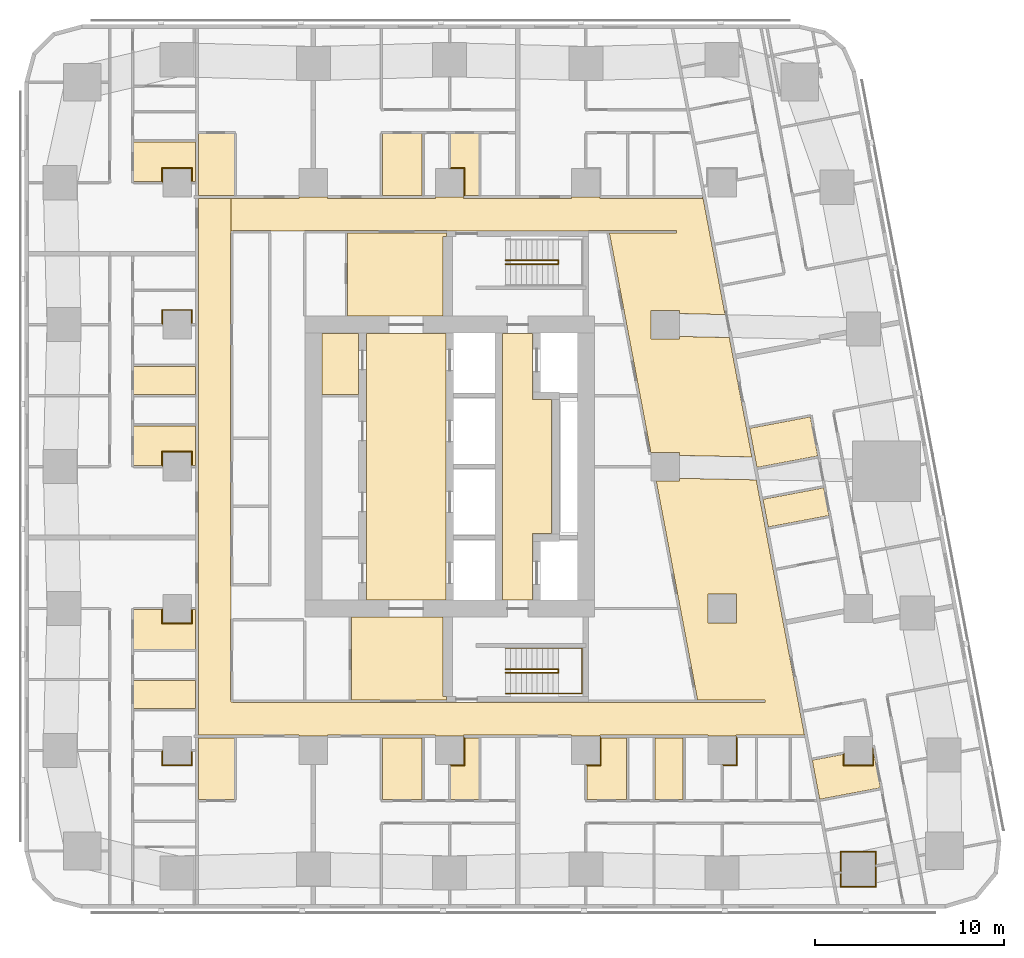
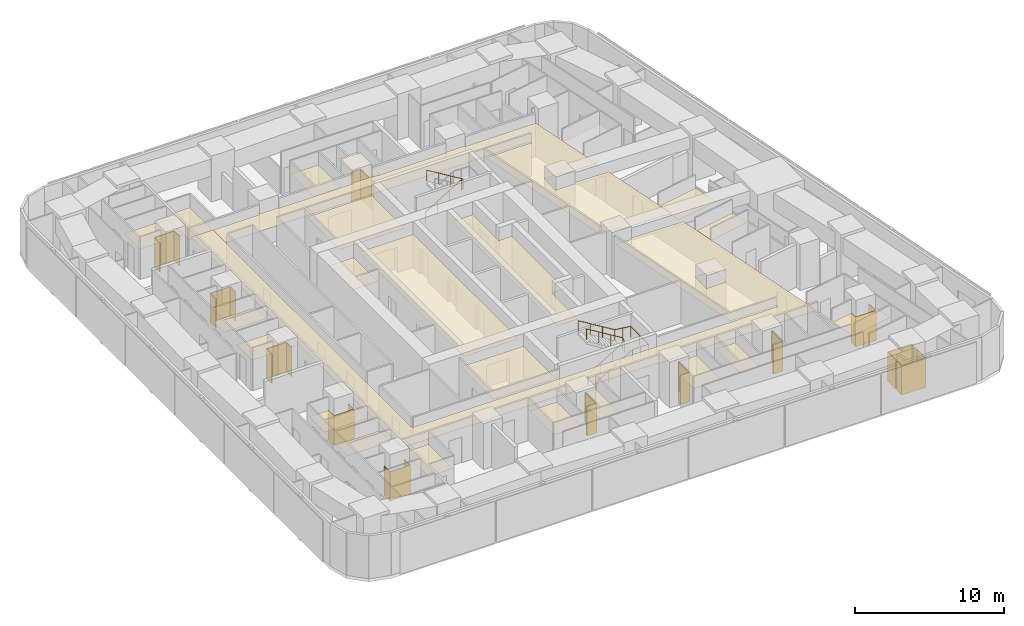
# One storey, part 14 of 15: 35 coverings, 3 railings.
"""IFC4 building model written with IfcOpenShell, lengths in metres."""

from ifc_helpers import new_model, si_unit, direction, frame, origin, origin_2d, place, context, subcontext, project, spatial, polyline, circle, outline, extrude, material, layer, layer_set, type_object, element, save


model = new_model("IFC4")

# Units and contexts
model_context = context("Model", 3, precision=1e-05, world=origin(), true_north=direction((0.0, 1.0)))
body_context = subcontext(model_context, "Body", "Model", "MODEL_VIEW")
ifc_project = project(units=[si_unit("LENGTHUNIT", "METRE"), si_unit("AREAUNIT", "SQUARE_METRE"), si_unit("VOLUMEUNIT", "CUBIC_METRE"), si_unit("PLANEANGLEUNIT", "RADIAN"), si_unit("MASSUNIT", "GRAM", prefix="KILO")], contexts=[model_context])

# Site, building, storey
site_placement = place(None, origin())
site = spatial("IfcSite", under=ifc_project, at=site_placement, CompositionType="ELEMENT")
building_placement = place(site_placement, origin())
building = spatial("IfcBuilding", under=site, at=building_placement, Name="Sheger Commons Tower", CompositionType="ELEMENT")
storey_placement = place(building_placement, frame((0.0, 0.0, 150.800048828125)))
storey = spatial("IfcBuildingStorey", under=building, at=storey_placement, Name="L38", CompositionType="ELEMENT", Elevation=150.800048828125)

# Railings
ifc_material_1 = material(Name="Steel handrail, black powder-coated", Category="steel")
railing_type = type_object("IfcRailingType", Name="HANDRAIL 900", PredefinedType="HANDRAIL", material=ifc_material_1)
railing_1_placement = place(storey_placement, frame((24.550048828125, 11.60009765625, 0.17041015625)))
element("IfcRailing", 1, at=railing_1_placement, inside=storey, type_object=railing_type, Name="Stair S1 handrail L38", PredefinedType="HANDRAIL", context=body_context, shape_type="SweptSolid", body=[
    extrude(circle(Radius=0.02392578125, at=origin_2d()), frame((0.0, 0.0, 0.8759765625), z_axis=(0.854169791009, 0.0, 0.51999420009), x_axis=(0.0, 1.0, 0.0)), (0.0, 0.0, 1.0), 3.278076171875),
    extrude(circle(Radius=0.02392578125, at=origin_2d()), frame((2.800048828125, 0.0, 2.58056640625), z_axis=(0.0, 0.761090297175, 0.648645943136), x_axis=(-1.0, 0.0, 0.0)), (0.0, 0.0, 1.0), 0.2626953125),
    extrude(circle(Radius=0.02392578125, at=origin_2d()), frame((2.800048828125, 0.199951171875, 2.7509765625), z_axis=(-0.854169791009, 0.0, 0.51999420009), x_axis=(0.0, -1.0, 0.0)), (0.0, 0.0, 1.0), 3.278076171875),
    extrude(circle(Radius=0.02099609375, at=origin_2d()), origin(), (0.0, 0.0, 1.0), 0.851806640625),
    extrude(circle(Radius=0.02099609375, at=origin_2d()), frame((0.933349609375, 0.0, 0.568115234375)), (0.0, 0.0, 1.0), 0.851806640625),
    extrude(circle(Radius=0.02099609375, at=origin_2d()), frame((1.86669921875, 0.0, 1.136474609375)), (0.0, 0.0, 1.0), 0.851806640625),
    extrude(circle(Radius=0.02099609375, at=origin_2d()), frame((2.800048828125, 0.0, 1.70458984375)), (0.0, 0.0, 1.0), 0.851806640625),
    extrude(circle(Radius=0.02099609375, at=origin_2d()), frame((2.800048828125, 0.199951171875, 1.875)), (0.0, 0.0, 1.0), 0.851806640625),
    extrude(circle(Radius=0.02099609375, at=origin_2d()), frame((1.86669921875, 0.199951171875, 2.443115234375)), (0.0, 0.0, 1.0), 0.851806640625),
    extrude(circle(Radius=0.02099609375, at=origin_2d()), frame((0.933349609375, 0.199951171875, 3.011474609375)), (0.0, 0.0, 1.0), 0.851806640625),
    extrude(circle(Radius=0.02099609375, at=origin_2d()), frame((0.0, 0.199951171875, 3.57958984375)), (0.0, 0.0, 1.0), 0.851806640625),
])
railing_2_placement = place(storey_placement, frame((24.550048828125, 10.5, 0.17041015625)))
element("IfcRailing", 2, at=railing_2_placement, inside=storey, type_object=railing_type, Name="Stair S1 handrail L38", PredefinedType="HANDRAIL", context=body_context, shape_type="SweptSolid", body=[
    extrude(circle(Radius=0.02392578125, at=origin_2d()), frame((0.0, 0.0, 0.8759765625), z_axis=(0.854169791009, 0.0, 0.51999420009), x_axis=(0.0, 1.0, 0.0)), (0.0, 0.0, 1.0), 3.278076171875),
    extrude(circle(Radius=0.02392578125, at=origin_2d()), frame((2.800048828125, 0.0, 2.58056640625), z_axis=(1.0, 0.0, 0.0), x_axis=(0.0, 1.0, 0.0)), (0.0, 0.0, 1.0), 1.25),
    extrude(circle(Radius=0.02392578125, at=origin_2d()), frame((4.050048828125, 0.0, 2.58056640625), z_axis=(0.0, 1.0, 0.0), x_axis=(-1.0, 0.0, 0.0)), (0.0, 0.0, 1.0), 2.39990234375),
    extrude(circle(Radius=0.02392578125, at=origin_2d()), frame((4.050048828125, 2.39990234375, 2.58056640625), z_axis=(-0.990834877927, 0.0, 0.135078661092), x_axis=(0.0, -1.0, 0.0)), (0.0, 0.0, 1.0), 1.261474609375),
    extrude(circle(Radius=0.02392578125, at=origin_2d()), frame((2.800048828125, 2.39990234375, 2.7509765625), z_axis=(-0.854169791009, 0.0, 0.51999420009), x_axis=(0.0, -1.0, 0.0)), (0.0, 0.0, 1.0), 3.278076171875),
    extrude(circle(Radius=0.02099609375, at=origin_2d()), origin(), (0.0, 0.0, 1.0), 0.851806640625),
    extrude(circle(Radius=0.02099609375, at=origin_2d()), frame((0.933349609375, 0.0, 0.568115234375)), (0.0, 0.0, 1.0), 0.851806640625),
    extrude(circle(Radius=0.02099609375, at=origin_2d()), frame((1.86669921875, 0.0, 1.136474609375)), (0.0, 0.0, 1.0), 0.851806640625),
    extrude(circle(Radius=0.02099609375, at=origin_2d()), frame((2.800048828125, 0.0, 1.70458984375)), (0.0, 0.0, 1.0), 0.851806640625),
    extrude(circle(Radius=0.02099609375, at=origin_2d()), frame((3.425048828125, 0.0, 1.70458984375)), (0.0, 0.0, 1.0), 0.851806640625),
    extrude(circle(Radius=0.02099609375, at=origin_2d()), frame((4.050048828125, 0.0, 1.70458984375)), (0.0, 0.0, 1.0), 0.851806640625),
    extrude(circle(Radius=0.02099609375, at=origin_2d()), frame((4.050048828125, 1.199951171875, 1.70458984375)), (0.0, 0.0, 1.0), 0.851806640625),
    extrude(circle(Radius=0.02099609375, at=origin_2d()), frame((4.050048828125, 2.39990234375, 1.70458984375)), (0.0, 0.0, 1.0), 0.851806640625),
    extrude(circle(Radius=0.02099609375, at=origin_2d()), frame((3.425048828125, 2.39990234375, 1.789794921875)), (0.0, 0.0, 1.0), 0.851806640625),
    extrude(circle(Radius=0.02099609375, at=origin_2d()), frame((2.800048828125, 2.39990234375, 1.875)), (0.0, 0.0, 1.0), 0.851806640625),
    extrude(circle(Radius=0.02099609375, at=origin_2d()), frame((1.86669921875, 2.39990234375, 2.443115234375)), (0.0, 0.0, 1.0), 0.851806640625),
    extrude(circle(Radius=0.02099609375, at=origin_2d()), frame((0.933349609375, 2.39990234375, 3.011474609375)), (0.0, 0.0, 1.0), 0.851806640625),
    extrude(circle(Radius=0.02099609375, at=origin_2d()), frame((0.0, 2.39990234375, 3.57958984375)), (0.0, 0.0, 1.0), 0.851806640625),
])
railing_3_placement = place(storey_placement, frame((24.550048828125, 33.39990234375, 0.17041015625)))
element("IfcRailing", 3, at=railing_3_placement, inside=storey, type_object=railing_type, Name="Stair S2 handrail L38", PredefinedType="HANDRAIL", context=body_context, shape_type="SweptSolid", body=[
    extrude(circle(Radius=0.02392578125, at=origin_2d()), frame((0.0, 0.0, 0.8759765625), z_axis=(0.854169791009, 0.0, 0.51999420009), x_axis=(0.0, 1.0, 0.0)), (0.0, 0.0, 1.0), 3.278076171875),
    extrude(circle(Radius=0.02392578125, at=origin_2d()), frame((2.800048828125, 0.0, 2.58056640625), z_axis=(0.0, -0.761090297175, 0.648645943136), x_axis=(1.0, 0.0, 0.0)), (0.0, 0.0, 1.0), 0.2626953125),
    extrude(circle(Radius=0.02392578125, at=origin_2d()), frame((2.800048828125, -0.199951171875, 2.7509765625), z_axis=(-0.854169791009, 0.0, 0.51999420009), x_axis=(0.0, -1.0, 0.0)), (0.0, 0.0, 1.0), 3.278076171875),
    extrude(circle(Radius=0.02099609375, at=origin_2d()), origin(), (0.0, 0.0, 1.0), 0.851806640625),
    extrude(circle(Radius=0.02099609375, at=origin_2d()), frame((0.933349609375, 0.0, 0.568115234375)), (0.0, 0.0, 1.0), 0.851806640625),
    extrude(circle(Radius=0.02099609375, at=origin_2d()), frame((1.86669921875, 0.0, 1.136474609375)), (0.0, 0.0, 1.0), 0.851806640625),
    extrude(circle(Radius=0.02099609375, at=origin_2d()), frame((2.800048828125, 0.0, 1.70458984375)), (0.0, 0.0, 1.0), 0.851806640625),
    extrude(circle(Radius=0.02099609375, at=origin_2d()), frame((2.800048828125, -0.199951171875, 1.875)), (0.0, 0.0, 1.0), 0.851806640625),
    extrude(circle(Radius=0.02099609375, at=origin_2d()), frame((1.86669921875, -0.199951171875, 2.443115234375)), (0.0, 0.0, 1.0), 0.851806640625),
    extrude(circle(Radius=0.02099609375, at=origin_2d()), frame((0.933349609375, -0.199951171875, 3.011474609375)), (0.0, 0.0, 1.0), 0.851806640625),
    extrude(circle(Radius=0.02099609375, at=origin_2d()), frame((0.0, -0.199951171875, 3.57958984375)), (0.0, 0.0, 1.0), 0.851806640625),
])

# Coverings
ifc_material_2 = material(Name="Moisture-resistant gypsum plasterboard 15 mm on a suspended galvanised steel grid", Category="steel")
ifc_layer_1 = layer(ifc_material_2, 0.014892578125)
ifc_layer_set_1 = layer_set([ifc_layer_1], Name="MOISTURE-RESISTANT CEILING 15")
covering_type_1 = type_object("IfcCoveringType", Name="MOISTURE-RESISTANT CEILING 15", PredefinedType="CEILING", material=ifc_layer_set_1)
covering_1_placement = place(storey_placement, frame((0.0, 0.0, 2.39990234375)))
element("IfcCovering", 4, at=covering_1_placement, inside=storey, type_object=covering_type_1, Name="L38-01.B1 ceiling", PredefinedType="CEILING", context=body_context, shape_type="SweptSolid", body=[
    extrude(outline(polyline([(4.905029296875, 12.844970703125), (8.169921875, 12.844970703125), (8.169921875, 14.945068359375), (7.955078125, 14.945068359375), (7.955078125, 14.2451171875), (6.445068359375, 14.2451171875), (6.445068359375, 14.945068359375), (4.905029296875, 14.945068359375), (4.905029296875, 12.844970703125)])), origin(), (0.0, 0.0, 1.0), 0.01513671875),
])
covering_2_placement = place(storey_placement, frame((0.0, 0.0, 2.39990234375)))
element("IfcCovering", 5, at=covering_2_placement, inside=storey, type_object=covering_type_1, Name="L38-01.B2 ceiling", PredefinedType="CEILING", context=body_context, shape_type="SweptSolid", body=[
    extrude(outline(polyline([(4.905029296875, 9.705078125), (8.169921875, 9.705078125), (8.169921875, 11.195068359375), (4.905029296875, 11.195068359375), (4.905029296875, 9.705078125)])), origin(), (0.0, 0.0, 1.0), 0.01513671875),
])
covering_3_placement = place(storey_placement, frame((0.0, 0.0, 2.39990234375)))
element("IfcCovering", 6, at=covering_3_placement, inside=storey, type_object=covering_type_1, Name="L38-02.B1 ceiling", PredefinedType="CEILING", context=body_context, shape_type="SweptSolid", body=[
    extrude(outline(polyline([(4.905029296875, 22.554931640625), (6.445068359375, 22.554931640625), (6.445068359375, 23.2548828125), (7.955078125, 23.2548828125), (7.955078125, 22.554931640625), (8.169921875, 22.554931640625), (8.169921875, 24.655029296875), (4.905029296875, 24.655029296875), (4.905029296875, 22.554931640625)])), origin(), (0.0, 0.0, 1.0), 0.01513671875),
])
covering_4_placement = place(storey_placement, frame((0.0, 0.0, 2.39990234375)))
element("IfcCovering", 7, at=covering_4_placement, inside=storey, type_object=covering_type_1, Name="L38-02.B2 ceiling", PredefinedType="CEILING", context=body_context, shape_type="SweptSolid", body=[
    extrude(outline(polyline([(4.905029296875, 26.304931640625), (8.169921875, 26.304931640625), (8.169921875, 27.794921875), (4.905029296875, 27.794921875), (4.905029296875, 26.304931640625)])), origin(), (0.0, 0.0, 1.0), 0.01513671875),
])
covering_5_placement = place(storey_placement, frame((0.0, 0.0, 2.39990234375)))
element("IfcCovering", 8, at=covering_5_placement, inside=storey, type_object=covering_type_1, Name="L38-03.B1 ceiling", PredefinedType="CEILING", context=body_context, shape_type="SweptSolid", body=[
    extrude(outline(polyline([(4.905029296875, 37.554931640625), (6.445068359375, 37.554931640625), (6.445068359375, 38.2548828125), (7.955078125, 38.2548828125), (7.955078125, 37.554931640625), (8.169921875, 37.554931640625), (8.169921875, 39.655029296875), (4.905029296875, 39.655029296875), (4.905029296875, 37.554931640625)])), origin(), (0.0, 0.0, 1.0), 0.01513671875),
])
covering_6_placement = place(storey_placement, frame((0.0, 0.0, 2.39990234375)))
element("IfcCovering", 9, at=covering_6_placement, inside=storey, type_object=covering_type_1, Name="L38-04.B1 ceiling", PredefinedType="CEILING", context=body_context, shape_type="SweptSolid", body=[
    extrude(outline(polyline([(8.330078125, 4.905029296875), (10.22412109375, 4.905029296875), (10.22412109375, 8.169921875), (8.330078125, 8.169921875), (8.330078125, 4.905029296875)])), origin(), (0.0, 0.0, 1.0), 0.01513671875),
])
covering_7_placement = place(storey_placement, frame((0.0, 0.0, 2.39990234375)))
element("IfcCovering", 10, at=covering_7_placement, inside=storey, type_object=covering_type_1, Name="L38-05.B1 ceiling", PredefinedType="CEILING", context=body_context, shape_type="SweptSolid", body=[
    extrude(outline(polyline([(18.054931640625, 4.905029296875), (20.155029296875, 4.905029296875), (20.155029296875, 8.169921875), (18.054931640625, 8.169921875), (18.054931640625, 4.905029296875)])), origin(), (0.0, 0.0, 1.0), 0.01513671875),
])
covering_8_placement = place(storey_placement, frame((0.0, 0.0, 2.39990234375)))
element("IfcCovering", 11, at=covering_8_placement, inside=storey, type_object=covering_type_1, Name="L38-05.B2 ceiling", PredefinedType="CEILING", context=body_context, shape_type="SweptSolid", body=[
    extrude(outline(polyline([(21.655029296875, 4.905029296875), (23.14501953125, 4.905029296875), (23.14501953125, 8.169921875), (22.35498046875, 8.169921875), (22.35498046875, 6.7451171875), (21.655029296875, 6.7451171875), (21.655029296875, 4.905029296875)])), origin(), (0.0, 0.0, 1.0), 0.01513671875),
])
covering_9_placement = place(storey_placement, frame((0.0, 0.0, 2.39990234375)))
element("IfcCovering", 12, at=covering_9_placement, inside=storey, type_object=covering_type_1, Name="L38-06.B1 ceiling", PredefinedType="CEILING", context=body_context, shape_type="SweptSolid", body=[
    extrude(outline(polyline([(28.85498046875, 4.905029296875), (30.955078125, 4.905029296875), (30.955078125, 8.169921875), (29.554931640625, 8.169921875), (29.554931640625, 6.7451171875), (28.85498046875, 6.7451171875), (28.85498046875, 4.905029296875)])), origin(), (0.0, 0.0, 1.0), 0.01513671875),
])
covering_10_placement = place(storey_placement, frame((0.0, 0.0, 2.39990234375)))
element("IfcCovering", 13, at=covering_10_placement, inside=storey, type_object=covering_type_1, Name="L38-06.B2 ceiling", PredefinedType="CEILING", context=body_context, shape_type="SweptSolid", body=[
    extrude(outline(polyline([(32.455078125, 4.905029296875), (33.945068359375, 4.905029296875), (33.945068359375, 8.169921875), (32.455078125, 8.169921875), (32.455078125, 4.905029296875)])), origin(), (0.0, 0.0, 1.0), 0.01513671875),
])
covering_11_placement = place(storey_placement, frame((0.0, 0.0, 2.39990234375)))
element("IfcCovering", 14, at=covering_11_placement, inside=storey, type_object=covering_type_1, Name="L38-08.B1 ceiling", PredefinedType="CEILING", context=body_context, shape_type="SweptSolid", body=[
    extrude(outline(polyline([(37.843994140625, 22.4580078125), (41.052001953125, 23.06396484375), (40.662109375, 25.1279296875), (37.4541015625, 24.52197265625), (37.843994140625, 22.4580078125)])), origin(), (0.0, 0.0, 1.0), 0.01513671875),
])
covering_12_placement = place(storey_placement, frame((0.0, 0.0, 2.39990234375)))
element("IfcCovering", 15, at=covering_12_placement, inside=storey, type_object=covering_type_1, Name="L38-08.B2 ceiling", PredefinedType="CEILING", context=body_context, shape_type="SweptSolid", body=[
    extrude(outline(polyline([(38.43896484375, 19.30810546875), (41.64697265625, 19.9140625), (41.3701171875, 21.3779296875), (38.162109375, 20.77197265625), (38.43896484375, 19.30810546875)])), origin(), (0.0, 0.0, 1.0), 0.01513671875),
])
covering_13_placement = place(storey_placement, frame((0.0, 0.0, 2.39990234375)))
element("IfcCovering", 16, at=covering_13_placement, inside=storey, type_object=covering_type_1, Name="L38-09.B1 ceiling", PredefinedType="CEILING", context=body_context, shape_type="SweptSolid", body=[
    extrude(outline(polyline([(41.156005859375, 4.9208984375), (44.364013671875, 5.527099609375), (43.964111328125, 7.64501953125), (43.955078125, 7.64306640625), (43.955078125, 6.7451171875), (42.445068359375, 6.7451171875), (42.445068359375, 7.302001953125), (40.76611328125, 6.985107421875), (41.156005859375, 4.9208984375)])), origin(), (0.0, 0.0, 1.0), 0.01513671875),
])
covering_14_placement = place(storey_placement, frame((0.0, 0.0, 2.39990234375)))
element("IfcCovering", 17, at=covering_14_placement, inside=storey, type_object=covering_type_1, Name="L38-10.B1 ceiling", PredefinedType="CEILING", context=body_context, shape_type="SweptSolid", body=[
    extrude(outline(polyline([(8.330078125, 36.830078125), (10.22412109375, 36.830078125), (10.22412109375, 40.094970703125), (8.330078125, 40.094970703125), (8.330078125, 36.830078125)])), origin(), (0.0, 0.0, 1.0), 0.01513671875),
])
covering_15_placement = place(storey_placement, frame((0.0, 0.0, 2.39990234375)))
element("IfcCovering", 18, at=covering_15_placement, inside=storey, type_object=covering_type_1, Name="L38-11.B1 ceiling", PredefinedType="CEILING", context=body_context, shape_type="SweptSolid", body=[
    extrude(outline(polyline([(18.054931640625, 36.830078125), (20.155029296875, 36.830078125), (20.155029296875, 40.094970703125), (18.054931640625, 40.094970703125), (18.054931640625, 36.830078125)])), origin(), (0.0, 0.0, 1.0), 0.01513671875),
])
covering_16_placement = place(storey_placement, frame((0.0, 0.0, 2.39990234375)))
element("IfcCovering", 19, at=covering_16_placement, inside=storey, type_object=covering_type_1, Name="L38-11.B2 ceiling", PredefinedType="CEILING", context=body_context, shape_type="SweptSolid", body=[
    extrude(outline(polyline([(22.35498046875, 36.830078125), (23.14501953125, 36.830078125), (23.14501953125, 40.094970703125), (21.655029296875, 40.094970703125), (21.655029296875, 38.2548828125), (22.35498046875, 38.2548828125), (22.35498046875, 36.830078125)])), origin(), (0.0, 0.0, 1.0), 0.01513671875),
])
covering_17_placement = place(storey_placement, frame((0.0, 0.0, 2.39990234375)))
element("IfcCovering", 20, at=covering_17_placement, inside=storey, type_object=covering_type_1, Name="L38-CRB3 ceiling", PredefinedType="CEILING", context=body_context, shape_type="SweptSolid", body=[
    extrude(outline(polyline([(14.85498046875, 26.31689453125), (16.794921875, 26.31689453125), (16.794921875, 29.544921875), (14.85498046875, 29.544921875), (14.85498046875, 26.31689453125)])), origin(), (0.0, 0.0, 1.0), 0.01513671875),
])
ifc_material_3 = material(Name="Gypsum plasterboard 15 mm on a suspended steel grid", Category="steel")
ifc_layer_2 = layer(ifc_material_3, 0.014892578125)
ifc_layer_set_2 = layer_set([ifc_layer_2], Name="SUSPENDED CEILING 15")
covering_type_2 = type_object("IfcCoveringType", Name="SUSPENDED CEILING 15", PredefinedType="CEILING", material=ifc_layer_set_2)
covering_18_placement = place(storey_placement, frame((0.0, 0.0, 2.699951171875)))
element("IfcCovering", 21, at=covering_18_placement, inside=storey, type_object=covering_type_2, Name="L38-CO ceiling", PredefinedType="CEILING", context=body_context, shape_type="SweptSolid", body=[
    extrude(outline(polyline([(13.654052734375, 8.2548828125), (15.14599609375, 8.2548828125), (15.14599609375, 8.330078125), (20.85400390625, 8.330078125), (20.85400390625, 8.2548828125), (22.345947265625, 8.2548828125), (22.345947265625, 8.330078125), (28.053955078125, 8.330078125), (28.053955078125, 8.2548828125), (29.5458984375, 8.2548828125), (29.5458984375, 8.330078125), (35.25390625, 8.330078125), (35.25390625, 8.2548828125), (36.74609375, 8.2548828125), (36.74609375, 8.330078125), (40.35009765625, 8.330078125), (37.805908203125, 21.798095703125), (33.7548828125, 21.8798828125), (33.7548828125, 21.7451171875), (32.52099609375, 21.7451171875), (34.705078125, 10.181884765625), (34.66796875, 10.175048828125), (34.669921875, 10.16796875), (38.27001953125, 10.16796875), (38.27001953125, 10.031982421875), (28.945068359375, 10.031982421875), (28.945068359375, 10.044921875), (21.455078125, 10.044921875), (21.455078125, 10.031982421875), (10.156982421875, 10.031982421875), (10.156982421875, 10.050048828125), (10.050048828125, 10.050048828125), (10.050048828125, 10.156982421875), (10.031982421875, 10.156982421875), (10.031982421875, 14.455078125), (10.050048828125, 14.455078125), (10.050048828125, 16.195068359375), (10.031982421875, 16.195068359375), (10.031982421875, 34.843017578125), (10.050048828125, 34.843017578125), (10.050048828125, 34.947998046875), (10.048095703125, 34.947998046875), (10.048095703125, 36.669921875), (8.330078125, 36.669921875), (8.330078125, 8.330078125), (13.654052734375, 8.330078125), (13.654052734375, 8.2548828125)]), holes=[polyline([(36.7548828125, 15.7548828125), (36.7548828125, 14.2451171875), (35.2451171875, 14.2451171875), (35.2451171875, 15.7548828125), (36.7548828125, 15.7548828125)])]), origin(), (0.0, 0.0, 1.0), 0.014892578125),
])
covering_19_placement = place(storey_placement, frame((0.0, 0.0, 2.699951171875)))
element("IfcCovering", 22, at=covering_19_placement, inside=storey, type_object=covering_type_2, Name="L38-CO ceiling", PredefinedType="CEILING", context=body_context, shape_type="SweptSolid", body=[
    extrude(outline(polyline([(37.575927734375, 23.011962890625), (36.385009765625, 29.318115234375), (33.7548828125, 29.3779296875), (33.7548828125, 29.2451171875), (32.2451171875, 29.2451171875), (32.2451171875, 30.7548828125), (33.7548828125, 30.7548828125), (33.7548828125, 30.587890625), (36.156005859375, 30.533935546875), (34.98193359375, 36.75), (34.97802734375, 36.75), (34.97802734375, 36.669921875), (33.572998046875, 36.669921875), (33.568115234375, 34.969970703125), (33.568115234375, 36.669921875), (29.5458984375, 36.669921875), (29.5458984375, 36.7451171875), (28.053955078125, 36.7451171875), (28.053955078125, 36.669921875), (22.345947265625, 36.669921875), (22.345947265625, 36.7451171875), (20.85400390625, 36.7451171875), (20.85400390625, 36.669921875), (15.14599609375, 36.669921875), (15.14599609375, 36.7451171875), (13.654052734375, 36.7451171875), (13.654052734375, 36.669921875), (10.052978515625, 36.669921875), (10.052978515625, 34.949951171875), (10.156982421875, 34.949951171875), (10.156982421875, 34.968017578125), (12.155029296875, 34.968017578125), (12.155029296875, 34.949951171875), (13.945068359375, 34.949951171875), (13.945068359375, 34.968017578125), (21.455078125, 34.968017578125), (21.455078125, 34.949951171875), (28.945068359375, 34.949951171875), (28.945068359375, 34.968017578125), (33.568115234375, 34.968017578125), (33.5849609375, 34.968017578125), (33.5849609375, 34.83203125), (30.048095703125, 34.83203125), (32.242919921875, 23.214111328125), (32.2451171875, 23.214111328125), (32.2451171875, 23.2548828125), (33.7548828125, 23.2548828125), (33.7548828125, 23.090087890625), (37.575927734375, 23.011962890625)])), origin(), (0.0, 0.0, 1.0), 0.014892578125),
])
covering_20_placement = place(storey_placement, frame((0.0, 0.0, 2.699951171875)))
element("IfcCovering", 23, at=covering_20_placement, inside=storey, type_object=covering_type_2, Name="L38-SVS1 ceiling", PredefinedType="CEILING", context=body_context, shape_type="SweptSolid", body=[
    extrude(outline(polyline([(16.406982421875, 10.16796875), (21.445068359375, 10.16796875), (21.445068359375, 10.344970703125), (21.2451171875, 10.344970703125), (21.2451171875, 14.544921875), (16.406982421875, 14.544921875), (16.406982421875, 10.16796875)])), origin(), (0.0, 0.0, 1.0), 0.014892578125),
])
covering_21_placement = place(storey_placement, frame((0.0, 0.0, 2.699951171875)))
element("IfcCovering", 24, at=covering_21_placement, inside=storey, type_object=covering_type_2, Name="L38-SVN1 ceiling", PredefinedType="CEILING", context=body_context, shape_type="SweptSolid", body=[
    extrude(outline(polyline([(16.217041015625, 30.455078125), (21.2451171875, 30.455078125), (21.2451171875, 34.655029296875), (21.445068359375, 34.655029296875), (21.445068359375, 34.83203125), (16.217041015625, 34.83203125), (16.217041015625, 30.455078125)])), origin(), (0.0, 0.0, 1.0), 0.014892578125),
])
covering_22_placement = place(storey_placement, frame((0.0, 0.0, 2.699951171875)))
element("IfcCovering", 25, at=covering_22_placement, inside=storey, type_object=covering_type_2, Name="L38-LL ceiling", PredefinedType="CEILING", context=body_context, shape_type="SweptSolid", body=[
    extrude(outline(polyline([(17.205078125, 15.455078125), (21.39990234375, 15.455078125), (21.39990234375, 29.544921875), (17.205078125, 29.544921875), (17.205078125, 15.455078125)])), origin(), (0.0, 0.0, 1.0), 0.014892578125),
])
covering_23_placement = place(storey_placement, frame((0.0, 0.0, 2.699951171875)))
element("IfcCovering", 26, at=covering_23_placement, inside=storey, type_object=covering_type_2, Name="L38-FL ceiling", PredefinedType="CEILING", context=body_context, shape_type="SweptSolid", body=[
    extrude(outline(polyline([(24.405029296875, 15.455078125), (25.9951171875, 15.455078125), (25.9951171875, 18.955078125), (26.9951171875, 18.955078125), (26.9951171875, 26.044921875), (25.9951171875, 26.044921875), (25.9951171875, 29.544921875), (24.405029296875, 29.544921875), (24.405029296875, 15.455078125)])), origin(), (0.0, 0.0, 1.0), 0.014892578125),
])
ifc_material_4 = material(Name="Moisture-resistant gypsum board 12.5 mm on 25 mm treated timber battens, tanked and tiled", Category="wood")
ifc_layer_3 = layer(ifc_material_4, 0.050048828125)
ifc_layer_set_3 = layer_set([ifc_layer_3], Name="WET-ROOM COLUMN LINING")
covering_type_3 = type_object("IfcCoveringType", Name="WET-ROOM COLUMN LINING", PredefinedType="CLADDING", material=ifc_layer_set_3)
covering_24_placement = place(storey_placement, origin())
element("IfcCovering", 27, at=covering_24_placement, inside=storey, type_object=covering_type_3, Name="Laundry room column lining C8 L38", PredefinedType="CLADDING", context=body_context, shape_type="SweptSolid", body=[
    extrude(outline(polyline([(44.14990234375, 2.175048828125), (44.14990234375, 1.455078125), (44.10107421875, 1.446044921875), (44.110107421875, 1.39697265625), (44.10009765625, 1.39501953125), (44.10009765625, 2.125), (42.300048828125, 2.125), (42.300048828125, 1.054931640625), (42.2900390625, 1.052978515625), (42.281005859375, 1.10205078125), (42.25, 1.095947265625), (42.25, 2.175048828125), (44.14990234375, 2.175048828125)])), origin(), (0.0, 0.0, 1.0), 2.39990234375),
])
covering_25_placement = place(storey_placement, origin())
element("IfcCovering", 28, at=covering_25_placement, inside=storey, type_object=covering_type_3, Name="Laundry room column lining C8 L38", PredefinedType="CLADDING", context=body_context, shape_type="SweptSolid", body=[
    extrude(outline(polyline([(42.300048828125, 1.054931640625), (42.300048828125, 0.324951171875), (44.10009765625, 0.324951171875), (44.10009765625, 1.39501953125), (44.110107421875, 1.39697265625), (44.118896484375, 1.347900390625), (44.14990234375, 1.35400390625), (44.14990234375, 0.27490234375), (42.25, 0.27490234375), (42.25, 0.9951171875), (42.299072265625, 1.00390625), (42.2900390625, 1.052978515625), (42.300048828125, 1.054931640625)])), origin(), (0.0, 0.0, 1.0), 2.39990234375),
])
covering_26_placement = place(storey_placement, origin())
element("IfcCovering", 29, at=covering_26_placement, inside=storey, type_object=covering_type_3, Name="Laundry room column lining C10 L38", PredefinedType="CLADDING", context=body_context, shape_type="SweptSolid", body=[
    extrude(outline(polyline([(6.449951171875, 7.5), (6.449951171875, 6.75), (7.949951171875, 6.75), (7.949951171875, 7.5), (7.950927734375, 7.5), (7.950927734375, 7.449951171875), (8.0, 7.449951171875), (8.0, 6.699951171875), (6.39990234375, 6.699951171875), (6.39990234375, 7.449951171875), (6.448974609375, 7.449951171875), (6.448974609375, 7.5), (6.449951171875, 7.5)])), origin(), (0.0, 0.0, 1.0), 2.39990234375),
])
covering_27_placement = place(storey_placement, origin())
element("IfcCovering", 30, at=covering_27_placement, inside=storey, type_object=covering_type_3, Name="Shower room column lining C10 L38", PredefinedType="CLADDING", context=body_context, shape_type="SweptSolid", body=[
    extrude(outline(polyline([(21.64990234375, 6.699951171875), (21.64990234375, 6.7490234375), (21.60009765625, 6.7490234375), (21.60009765625, 6.75), (22.35009765625, 6.75), (22.35009765625, 8.25), (22.35107421875, 8.25), (22.35107421875, 8.175048828125), (22.39990234375, 8.175048828125), (22.39990234375, 6.699951171875), (21.64990234375, 6.699951171875)])), origin(), (0.0, 0.0, 1.0), 2.39990234375),
])
covering_28_placement = place(storey_placement, origin())
element("IfcCovering", 31, at=covering_28_placement, inside=storey, type_object=covering_type_3, Name="Bathroom column lining C10 L38", PredefinedType="CLADDING", context=body_context, shape_type="SweptSolid", body=[
    extrude(outline(polyline([(28.85009765625, 6.699951171875), (28.85009765625, 6.7490234375), (28.800048828125, 6.7490234375), (28.800048828125, 6.75), (29.550048828125, 6.75), (29.550048828125, 8.25), (29.551025390625, 8.25), (29.551025390625, 8.175048828125), (29.60009765625, 8.175048828125), (29.60009765625, 6.699951171875), (28.85009765625, 6.699951171875)])), origin(), (0.0, 0.0, 1.0), 2.39990234375),
])
covering_29_placement = place(storey_placement, origin())
element("IfcCovering", 32, at=covering_29_placement, inside=storey, type_object=covering_type_3, Name="Laundry room column lining C10 L38", PredefinedType="CLADDING", context=body_context, shape_type="SweptSolid", body=[
    extrude(outline(polyline([(36.050048828125, 6.699951171875), (36.050048828125, 6.7490234375), (36.0, 6.7490234375), (36.0, 6.75), (36.75, 6.75), (36.75, 8.25), (36.7509765625, 8.25), (36.7509765625, 8.175048828125), (36.800048828125, 8.175048828125), (36.800048828125, 6.699951171875), (36.050048828125, 6.699951171875)])), origin(), (0.0, 0.0, 1.0), 2.39990234375),
])
covering_30_placement = place(storey_placement, origin())
element("IfcCovering", 33, at=covering_30_placement, inside=storey, type_object=covering_type_3, Name="Bathroom column lining C10 L38", PredefinedType="CLADDING", context=body_context, shape_type="SweptSolid", body=[
    extrude(outline(polyline([(42.449951171875, 7.35888671875), (42.449951171875, 6.75), (43.949951171875, 6.75), (43.949951171875, 7.64208984375), (43.968994140625, 7.64599609375), (44.0, 7.47998046875), (44.0, 6.699951171875), (42.39990234375, 6.699951171875), (42.39990234375, 7.299072265625), (42.448974609375, 7.30810546875), (42.43994140625, 7.35693359375), (42.449951171875, 7.35888671875)])), origin(), (0.0, 0.0, 1.0), 2.39990234375),
])
covering_31_placement = place(storey_placement, origin())
element("IfcCovering", 34, at=covering_31_placement, inside=storey, type_object=covering_type_3, Name="Bathroom column lining C10 L38", PredefinedType="CLADDING", context=body_context, shape_type="SweptSolid", body=[
    extrude(outline(polyline([(6.449951171875, 15.0), (6.449951171875, 14.25), (7.949951171875, 14.25), (7.949951171875, 15.0), (7.950927734375, 15.0), (7.950927734375, 14.949951171875), (8.0, 14.949951171875), (8.0, 14.199951171875), (6.39990234375, 14.199951171875), (6.39990234375, 14.949951171875), (6.448974609375, 14.949951171875), (6.448974609375, 15.0), (6.449951171875, 15.0)])), origin(), (0.0, 0.0, 1.0), 2.39990234375),
])
covering_32_placement = place(storey_placement, origin())
element("IfcCovering", 35, at=covering_32_placement, inside=storey, type_object=covering_type_3, Name="Bathroom column lining C10 L38", PredefinedType="CLADDING", context=body_context, shape_type="SweptSolid", body=[
    extrude(outline(polyline([(8.0, 23.300048828125), (8.0, 22.550048828125), (7.950927734375, 22.550048828125), (7.950927734375, 22.5), (7.949951171875, 22.5), (7.949951171875, 23.25), (6.449951171875, 23.25), (6.449951171875, 22.5), (6.448974609375, 22.5), (6.448974609375, 22.550048828125), (6.39990234375, 22.550048828125), (6.39990234375, 23.300048828125), (8.0, 23.300048828125)])), origin(), (0.0, 0.0, 1.0), 2.39990234375),
])
covering_33_placement = place(storey_placement, origin())
element("IfcCovering", 36, at=covering_33_placement, inside=storey, type_object=covering_type_3, Name="Laundry room column lining C10 L38", PredefinedType="CLADDING", context=body_context, shape_type="SweptSolid", body=[
    extrude(outline(polyline([(8.0, 30.800048828125), (8.0, 30.050048828125), (7.950927734375, 30.050048828125), (7.950927734375, 30.0), (7.949951171875, 30.0), (7.949951171875, 30.75), (6.449951171875, 30.75), (6.449951171875, 30.0), (6.448974609375, 30.0), (6.448974609375, 30.050048828125), (6.39990234375, 30.050048828125), (6.39990234375, 30.800048828125), (8.0, 30.800048828125)])), origin(), (0.0, 0.0, 1.0), 2.39990234375),
])
covering_34_placement = place(storey_placement, origin())
element("IfcCovering", 37, at=covering_34_placement, inside=storey, type_object=covering_type_3, Name="Bathroom column lining C10 L38", PredefinedType="CLADDING", context=body_context, shape_type="SweptSolid", body=[
    extrude(outline(polyline([(8.0, 38.300048828125), (8.0, 37.550048828125), (7.950927734375, 37.550048828125), (7.950927734375, 37.5), (7.949951171875, 37.5), (7.949951171875, 38.25), (6.449951171875, 38.25), (6.449951171875, 37.5), (6.448974609375, 37.5), (6.448974609375, 37.550048828125), (6.39990234375, 37.550048828125), (6.39990234375, 38.300048828125), (8.0, 38.300048828125)])), origin(), (0.0, 0.0, 1.0), 2.39990234375),
])
covering_35_placement = place(storey_placement, origin())
element("IfcCovering", 38, at=covering_35_placement, inside=storey, type_object=covering_type_3, Name="Shower room column lining C10 L38", PredefinedType="CLADDING", context=body_context, shape_type="SweptSolid", body=[
    extrude(outline(polyline([(22.39990234375, 36.824951171875), (22.35107421875, 36.824951171875), (22.35107421875, 36.75), (22.35009765625, 36.75), (22.35009765625, 38.25), (21.60009765625, 38.25), (21.60009765625, 38.2509765625), (21.64990234375, 38.2509765625), (21.64990234375, 38.300048828125), (22.39990234375, 38.300048828125), (22.39990234375, 36.824951171875)])), origin(), (0.0, 0.0, 1.0), 2.39990234375),
])

save(model, "model.ifc")
